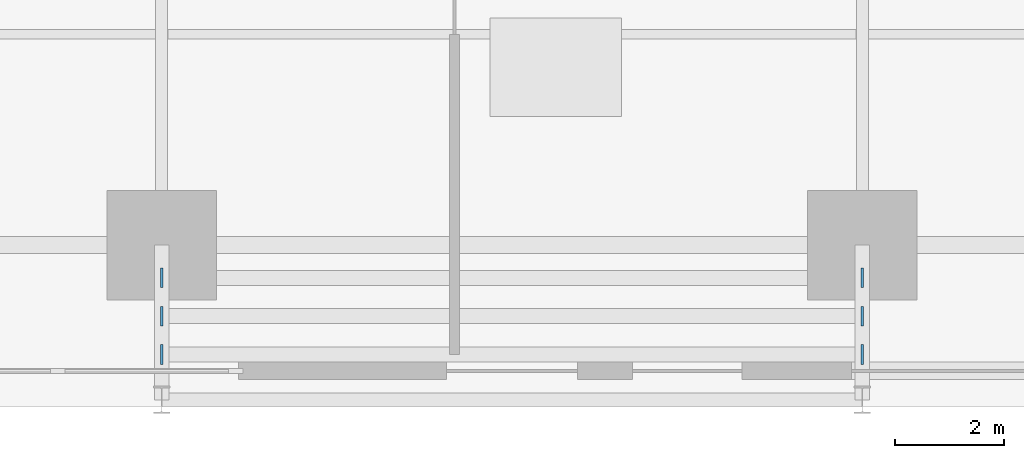
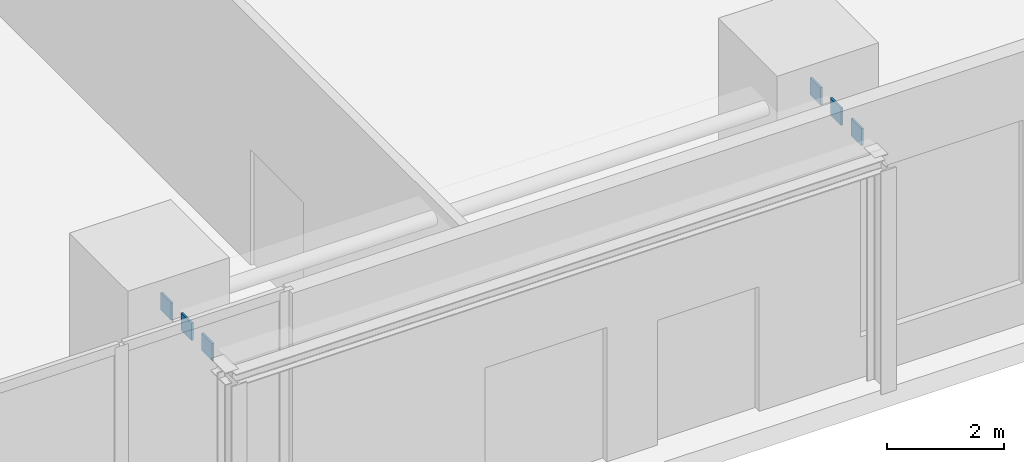
# One storey, part 12 of 25: 6 plates.
"""IFC4 building model written with IfcOpenShell, lengths in metres."""

from ifc_helpers import new_model, si_unit, direction, frame, origin, origin_2d, place, context, subcontext, project, spatial, rectangle, extrude, source, transform, mapped, material, layer, layer_set, type_object, element, save


model = new_model("IFC4")

# Units and contexts
model_context = context("Model", 3, precision=1e-05, world=origin(), true_north=direction((0.0, 1.0)))
body_context = subcontext(model_context, "Body", "Model", "MODEL_VIEW")
ifc_project = project(units=[si_unit("LENGTHUNIT", "METRE"), si_unit("AREAUNIT", "SQUARE_METRE"), si_unit("VOLUMEUNIT", "CUBIC_METRE"), si_unit("PLANEANGLEUNIT", "RADIAN"), si_unit("MASSUNIT", "GRAM", prefix="KILO")], contexts=[model_context])

# Site, building, storey
site_placement = place(None, origin())
site = spatial("IfcSite", under=ifc_project, at=site_placement, CompositionType="ELEMENT")
building_placement = place(site_placement, origin())
building = spatial("IfcBuilding", under=site, at=building_placement, Name="Vardaveli Station Tower", CompositionType="ELEMENT")
storey_placement = place(building_placement, origin())
storey = spatial("IfcBuildingStorey", under=building, at=storey_placement, Name="L01", CompositionType="ELEMENT", Elevation=0.0)

# Plates
ifc_material = material(Name="Structural steel S460M", Category="steel")
ifc_layer = layer(ifc_material, 0.0400390625, Name="Structural steel S460M")
ifc_layer_set = layer_set([ifc_layer], Name="Structural steel S460M")
plate_type = type_object("IfcPlateType", Name="PLT-CAP-40", PredefinedType="USERDEFINED", material=ifc_layer_set)
shared_shape = source(origin(), body_context, "Body", "SweptSolid", [
    extrude(rectangle(XDim=0.0400390625, YDim=0.360107421875, at=origin_2d()), origin(), (0.0, 0.0, 1.0), 0.360107421875),
])
for number, where, z_axis, x_axis, name in (
    (1, (60.0, 0.949951171875, 4.60009765625), (0.0, 0.0, 1.0), (1.0, 0.0, 0.0), "PLT-CNP-S2-1A"),
    (2, (72.800048828125, 0.949951171875, 4.60009765625), (0.0, 0.0, 1.0), (1.0, 0.0, 0.0), "PLT-CNP-S2-1B"),
    (3, (60.0, 1.64990234375, 4.60009765625), (0.0, 0.0, 1.0), (1.0, 0.0, 0.0), "PLT-CNP-S2-2A"),
    (4, (72.800048828125, 1.64990234375, 4.60009765625), (0.0, 0.0, 1.0), (1.0, 0.0, 0.0), "PLT-CNP-S2-2B"),
    (5, (60.0, 2.35009765625, 4.60009765625), (0.0, 0.0, 1.0), (1.0, 0.0, 0.0), "PLT-CNP-S2-3A"),
    (6, (72.800048828125, 2.35009765625, 4.60009765625), (0.0, 0.0, 1.0), (1.0, 0.0, 0.0), "PLT-CNP-S2-3B"),
):
    element("IfcPlate", number, at=place(storey_placement, frame(where, z_axis=z_axis, x_axis=x_axis)), inside=storey, type_object=plate_type, Name=name, ObjectType="GUSSET PLATE", PredefinedType="USERDEFINED", context=body_context, shape_type="MappedRepresentation", body=[
        mapped(shared_shape, transform((0.0, 0.0, 0.0), scale=1.0)),
    ])

save(model, "model.ifc")
